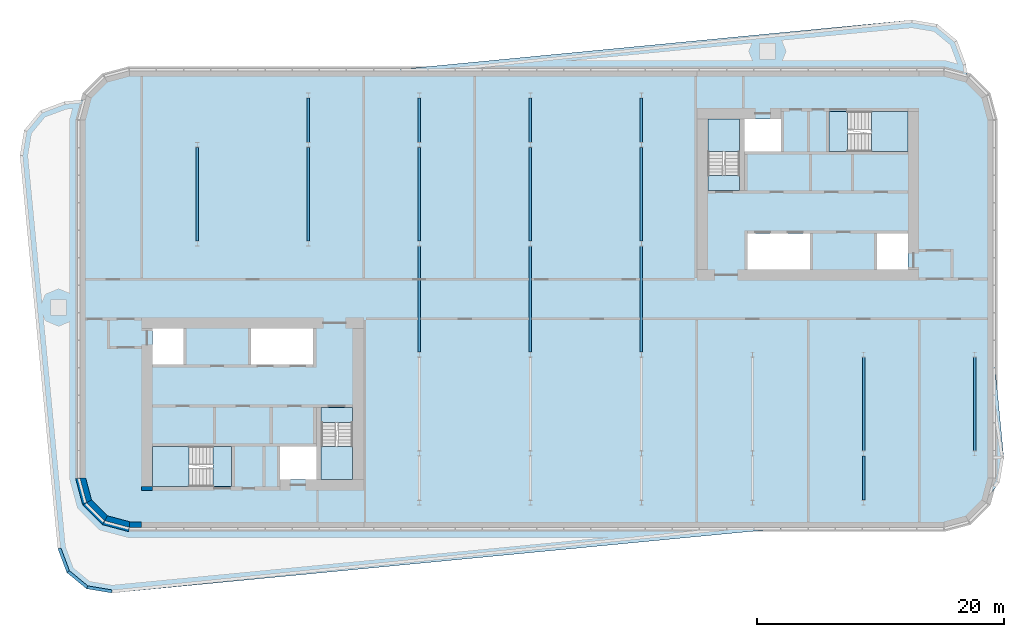
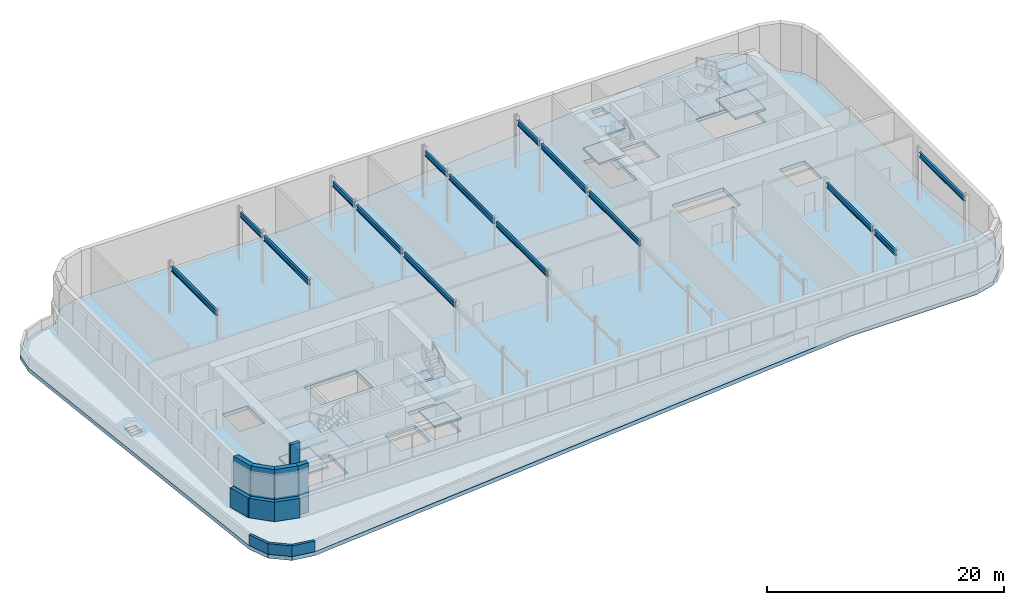
# One storey, part 5 of 16: 15 beams, 13 slabs, 11 walls, 4 elements without a shape of their own.
"""IFC4 building model written with IfcOpenShell, lengths in metres."""

from ifc_helpers import new_model, si_unit, direction, frame, frame_2d, origin, origin_2d, place, context, subcontext, project, spatial, polyline, rectangle, i_section, outline, extrude, material, layer, layer_set, material_profile, profile_set, type_object, element, aggregate, save


model = new_model("IFC4")

# Units and contexts
model_context = context("Model", 3, precision=1e-05, world=origin(), true_north=direction((0.0, 1.0)))
body_context = subcontext(model_context, "Body", "Model", "MODEL_VIEW")
ifc_project = project(units=[si_unit("LENGTHUNIT", "METRE"), si_unit("AREAUNIT", "SQUARE_METRE"), si_unit("VOLUMEUNIT", "CUBIC_METRE"), si_unit("PLANEANGLEUNIT", "RADIAN"), si_unit("MASSUNIT", "GRAM", prefix="KILO")], contexts=[model_context])

# Site, building, storey
site_placement = place(None, origin())
site = spatial("IfcSite", under=ifc_project, at=site_placement, CompositionType="ELEMENT")
building_placement = place(site_placement, origin())
building = spatial("IfcBuilding", under=site, at=building_placement, Name="Kajstack Hotel Tower", CompositionType="ELEMENT")
storey_placement = place(building_placement, frame((0.0, 0.0, 308.10009765625)))
storey = spatial("IfcBuildingStorey", under=building, at=storey_placement, Name="L78", CompositionType="ELEMENT", Elevation=308.10009765625)

# Beams
ifc_material_1 = material(Name="Steel S355J2", Category="steel")
ifc_material_profile = material_profile(ifc_material_1, i_section(OverallWidth=0.199951171875, OverallDepth=0.5, WebThickness=0.01025390625, FlangeThickness=0.01611328125, FilletRadius=0.02099609375, at=origin_2d()), Name="IPE 500")
ifc_profile_set = profile_set([ifc_material_profile], Name="Steel S355J2")
beam_type = type_object("IfcBeamType", Name="CF1 IPE 500", PredefinedType="BEAM", material=ifc_profile_set)
for number, where, z_axis, x_axis, name in (
    (1, (-27.0, 4.699951171875, 4.849853515625), (0.0, 1.0, 0.0), (-1.0, 0.0, 0.0), "S-beam-c-L78--27p0-1"),
    (2, (-18.0, 4.699951171875, 4.849853515625), (0.0, 1.0, 0.0), (-1.0, 0.0, 0.0), "S-beam-c-L78--18p0-1"),
):
    element("IfcBeam", number, at=place(storey_placement, frame(where, z_axis=z_axis, x_axis=x_axis)), inside=storey, type_object=beam_type, Name=name, PredefinedType="BEAM", context=body_context, shape_type="SweptSolid", body=[
        extrude(i_section(OverallWidth=0.199951171875, OverallDepth=0.5, WebThickness=0.01025390625, FlangeThickness=0.01611328125, FilletRadius=0.02099609375, at=origin_2d()), origin(), (0.0, 0.0, 1.0), 7.60009765625),
    ])
beam_1_placement = place(storey_placement, frame((-18.0, 12.699951171875, 4.849853515625), z_axis=(0.0, 1.0, 0.0), x_axis=(-1.0, 0.0, 0.0)))
element("IfcBeam", 3, at=beam_1_placement, inside=storey, type_object=beam_type, Name="S-beam-c-L78--18p0-2", PredefinedType="BEAM", context=body_context, shape_type="SweptSolid", body=[
    extrude(i_section(OverallWidth=0.199951171875, OverallDepth=0.5, WebThickness=0.01025390625, FlangeThickness=0.01611328125, FilletRadius=0.02099609375, at=origin_2d()), origin(), (0.0, 0.0, 1.0), 3.60009765625),
])
beam_2_placement = place(storey_placement, frame((-9.0, -4.300048828125, 4.849853515625), z_axis=(0.0, 1.0, 0.0), x_axis=(-1.0, 0.0, 0.0)))
element("IfcBeam", 4, at=beam_2_placement, inside=storey, type_object=beam_type, Name="S-beam-c-L78--9p0-3", PredefinedType="BEAM", context=body_context, shape_type="SweptSolid", body=[
    extrude(i_section(OverallWidth=0.199951171875, OverallDepth=0.5, WebThickness=0.01025390625, FlangeThickness=0.01611328125, FilletRadius=0.02099609375, at=origin_2d()), origin(), (0.0, 0.0, 1.0), 8.60009765625),
])
beam_3_placement = place(storey_placement, frame((-9.0, 4.699951171875, 4.849853515625), z_axis=(0.0, 1.0, 0.0), x_axis=(-1.0, 0.0, 0.0)))
element("IfcBeam", 5, at=beam_3_placement, inside=storey, type_object=beam_type, Name="S-beam-c-L78--9p0-4", PredefinedType="BEAM", context=body_context, shape_type="SweptSolid", body=[
    extrude(i_section(OverallWidth=0.199951171875, OverallDepth=0.5, WebThickness=0.01025390625, FlangeThickness=0.01611328125, FilletRadius=0.02099609375, at=origin_2d()), origin(), (0.0, 0.0, 1.0), 7.60009765625),
])
beam_4_placement = place(storey_placement, frame((-9.0, 12.699951171875, 4.849853515625), z_axis=(0.0, 1.0, 0.0), x_axis=(-1.0, 0.0, 0.0)))
element("IfcBeam", 6, at=beam_4_placement, inside=storey, type_object=beam_type, Name="S-beam-c-L78--9p0-5", PredefinedType="BEAM", context=body_context, shape_type="SweptSolid", body=[
    extrude(i_section(OverallWidth=0.199951171875, OverallDepth=0.5, WebThickness=0.01025390625, FlangeThickness=0.01611328125, FilletRadius=0.02099609375, at=origin_2d()), origin(), (0.0, 0.0, 1.0), 3.60009765625),
])
beam_5_placement = place(storey_placement, frame((0.0, -4.300048828125, 4.849853515625), z_axis=(0.0, 1.0, 0.0), x_axis=(-1.0, 0.0, 0.0)))
element("IfcBeam", 7, at=beam_5_placement, inside=storey, type_object=beam_type, Name="S-beam-c-L78-+0p0-3", PredefinedType="BEAM", context=body_context, shape_type="SweptSolid", body=[
    extrude(i_section(OverallWidth=0.199951171875, OverallDepth=0.5, WebThickness=0.01025390625, FlangeThickness=0.01611328125, FilletRadius=0.02099609375, at=origin_2d()), origin(), (0.0, 0.0, 1.0), 8.60009765625),
])
beam_6_placement = place(storey_placement, frame((0.0, 4.699951171875, 4.849853515625), z_axis=(0.0, 1.0, 0.0), x_axis=(-1.0, 0.0, 0.0)))
element("IfcBeam", 8, at=beam_6_placement, inside=storey, type_object=beam_type, Name="S-beam-c-L78-+0p0-4", PredefinedType="BEAM", context=body_context, shape_type="SweptSolid", body=[
    extrude(i_section(OverallWidth=0.199951171875, OverallDepth=0.5, WebThickness=0.01025390625, FlangeThickness=0.01611328125, FilletRadius=0.02099609375, at=origin_2d()), origin(), (0.0, 0.0, 1.0), 7.60009765625),
])
beam_7_placement = place(storey_placement, frame((0.0, 12.699951171875, 4.849853515625), z_axis=(0.0, 1.0, 0.0), x_axis=(-1.0, 0.0, 0.0)))
element("IfcBeam", 9, at=beam_7_placement, inside=storey, type_object=beam_type, Name="S-beam-c-L78-+0p0-5", PredefinedType="BEAM", context=body_context, shape_type="SweptSolid", body=[
    extrude(i_section(OverallWidth=0.199951171875, OverallDepth=0.5, WebThickness=0.01025390625, FlangeThickness=0.01611328125, FilletRadius=0.02099609375, at=origin_2d()), origin(), (0.0, 0.0, 1.0), 3.60009765625),
])
beam_8_placement = place(storey_placement, frame((9.0, -4.300048828125, 4.849853515625), z_axis=(0.0, 1.0, 0.0), x_axis=(-1.0, 0.0, 0.0)))
element("IfcBeam", 10, at=beam_8_placement, inside=storey, type_object=beam_type, Name="S-beam-c-L78-+9p0-3", PredefinedType="BEAM", context=body_context, shape_type="SweptSolid", body=[
    extrude(i_section(OverallWidth=0.199951171875, OverallDepth=0.5, WebThickness=0.01025390625, FlangeThickness=0.01611328125, FilletRadius=0.02099609375, at=origin_2d()), origin(), (0.0, 0.0, 1.0), 8.60009765625),
])
beam_9_placement = place(storey_placement, frame((9.0, 4.699951171875, 4.849853515625), z_axis=(0.0, 1.0, 0.0), x_axis=(-1.0, 0.0, 0.0)))
element("IfcBeam", 11, at=beam_9_placement, inside=storey, type_object=beam_type, Name="S-beam-c-L78-+9p0-4", PredefinedType="BEAM", context=body_context, shape_type="SweptSolid", body=[
    extrude(i_section(OverallWidth=0.199951171875, OverallDepth=0.5, WebThickness=0.01025390625, FlangeThickness=0.01611328125, FilletRadius=0.02099609375, at=origin_2d()), origin(), (0.0, 0.0, 1.0), 7.60009765625),
])
for number, where, z_axis, x_axis, name in (
    (12, (9.0, 12.699951171875, 4.849853515625), (0.0, 1.0, 0.0), (-1.0, 0.0, 0.0), "S-beam-c-L78-+9p0-5"),
    (13, (27.0, -16.300048828125, 4.849853515625), (0.0, 1.0, 0.0), (-1.0, 0.0, 0.0), "S-beam-c-L78-+27p0-1"),
):
    element("IfcBeam", number, at=place(storey_placement, frame(where, z_axis=z_axis, x_axis=x_axis)), inside=storey, type_object=beam_type, Name=name, PredefinedType="BEAM", context=body_context, shape_type="SweptSolid", body=[
        extrude(i_section(OverallWidth=0.199951171875, OverallDepth=0.5, WebThickness=0.01025390625, FlangeThickness=0.01611328125, FilletRadius=0.02099609375, at=origin_2d()), origin(), (0.0, 0.0, 1.0), 3.60009765625),
    ])
for number, where, z_axis, x_axis, name in (
    (14, (27.0, -12.300048828125, 4.849853515625), (0.0, 1.0, 0.0), (-1.0, 0.0, 0.0), "S-beam-c-L78-+27p0-2"),
    (15, (36.0, -12.300048828125, 4.849853515625), (0.0, 1.0, 0.0), (-1.0, 0.0, 0.0), "S-beam-c-L78-+36p0-1"),
):
    element("IfcBeam", number, at=place(storey_placement, frame(where, z_axis=z_axis, x_axis=x_axis)), inside=storey, type_object=beam_type, Name=name, PredefinedType="BEAM", context=body_context, shape_type="SweptSolid", body=[
        extrude(i_section(OverallWidth=0.199951171875, OverallDepth=0.5, WebThickness=0.01025390625, FlangeThickness=0.01611328125, FilletRadius=0.02099609375, at=origin_2d()), origin(), (0.0, 0.0, 1.0), 7.60009765625),
    ])

# Slab
ifc_material_2 = material(Name="Concrete C40/50", Category="concrete")
ifc_layer_1 = layer(ifc_material_2, 0.39990234375)
ifc_layer_set_1 = layer_set([ifc_layer_1], Name="RC slab 400 C40/50 crown")
slab_type_1 = type_object("IfcSlabType", Name="RC slab 400 C40/50 crown", PredefinedType="FLOOR", material=ifc_layer_set_1)
slab_1_placement = place(storey_placement, frame((0.0, 0.0, -0.400146484375)))
element("IfcSlab", 16, at=slab_1_placement, inside=storey, type_object=slab_type_1, Name="S-slab-L78", PredefinedType="FLOOR", context=body_context, shape_type="SweptSolid", body=[
    extrude(outline(polyline([(-33.92431640625, -23.814697265625), (-35.96630859375, -23.472900390625), (-37.564208984375, -22.15576171875), (-38.289306640625, -20.21630859375), (-41.356201171875, 11.63623046875), (-41.014404296875, 13.678466796875), (-39.697509765625, 15.276123046875), (-37.758056640625, 16.001220703125), (-36.0537109375, 16.165283203125), (-35.964111328125, 16.5), (-34.5, 17.964111328125), (-32.5, 18.5), (-11.80712890625, 18.5), (30.92431640625, 22.614501953125), (32.96630859375, 22.27294921875), (34.564208984375, 20.955810546875), (35.289306640625, 19.016357421875), (35.3876953125, 17.994140625), (35.5, 17.964111328125), (36.964111328125, 16.5), (37.5, 14.5), (37.5, -3.943359375), (38.356201171875, -12.836181640625), (38.014404296875, -14.87841796875), (37.10205078125, -15.9853515625), (36.964111328125, -16.5), (35.5, -17.964111328125), (33.5, -18.5), (21.26953125, -18.5), (-33.92431640625, -23.814697265625)]), holes=[polyline([(-22.64990234375, -5.300048828125), (-22.64990234375, -2.39990234375), (-17.60009765625, -2.39990234375), (-17.60009765625, -5.300048828125), (-22.64990234375, -5.300048828125)]), polyline([(-20.300048828125, -14.60009765625), (-17.35009765625, -14.60009765625), (-17.35009765625, -11.949951171875), (-20.300048828125, -11.949951171875), (-20.300048828125, -14.60009765625)]), polyline([(-30.60009765625, -5.300048828125), (-28.10009765625, -5.300048828125), (-28.10009765625, -2.39990234375), (-30.60009765625, -2.39990234375), (-30.60009765625, -5.300048828125)]), polyline([(17.60009765625, 2.39990234375), (17.60009765625, 5.300048828125), (22.64990234375, 5.300048828125), (22.64990234375, 2.39990234375), (17.60009765625, 2.39990234375)]), polyline([(20.300048828125, 14.60009765625), (17.35009765625, 14.60009765625), (17.35009765625, 11.949951171875), (20.300048828125, 11.949951171875), (20.300048828125, 14.60009765625)]), polyline([(30.60009765625, 5.300048828125), (28.10009765625, 5.300048828125), (28.10009765625, 2.39990234375), (30.60009765625, 2.39990234375), (30.60009765625, 5.300048828125)]), polyline([(-16.949951171875, -14.60009765625), (-14.39990234375, -14.60009765625), (-14.39990234375, -10.0), (-16.949951171875, -10.0), (-16.949951171875, -14.60009765625)]), polyline([(-30.60009765625, -15.199951171875), (-25.699951171875, -15.199951171875), (-25.699951171875, -11.949951171875), (-30.60009765625, -11.949951171875), (-30.60009765625, -15.199951171875)]), polyline([(16.949951171875, 14.60009765625), (14.39990234375, 14.60009765625), (14.39990234375, 10.0), (16.949951171875, 10.0), (16.949951171875, 14.60009765625)]), polyline([(30.60009765625, 15.199951171875), (25.699951171875, 15.199951171875), (25.699951171875, 11.949951171875), (30.60009765625, 11.949951171875), (30.60009765625, 15.199951171875)]), polyline([(-38.7763671875, -1.234619140625), (-38.7763671875, -0.134521484375), (-37.67626953125, -0.134521484375), (-37.67626953125, -1.234619140625), (-38.7763671875, -1.234619140625)]), polyline([(18.655517578125, 19.53125), (18.655517578125, 20.631103515625), (19.755615234375, 20.631103515625), (19.755615234375, 19.53125), (18.655517578125, 19.53125)])]), origin(), (0.0, 0.0, 1.0), 0.400146484375),
])

# Stair, slabs
stair_type_1 = type_object("IfcStairType", Name="Exit stair 1200", PredefinedType="HALF_TURN_STAIR", material=ifc_material_2)
stair_1_placement = place(storey_placement, origin())
stair_1 = element("IfcStair", 17, at=stair_1_placement, inside=storey, type_object=stair_type_1, Name="L78 stair W2", PredefinedType="HALF_TURN_STAIR")
ifc_layer_2 = layer(ifc_material_2, 0.199951171875)
ifc_layer_set_2 = layer_set([ifc_layer_2], Name="Stair landing 200")
slab_type_2 = type_object("IfcSlabType", Name="Stair landing 200", PredefinedType="LANDING", material=ifc_layer_set_2)
slab_2_placement = place(storey_placement, frame((0.0, 0.0, 1.1748046875)))
slab_2 = element("IfcSlab", 18, at=slab_2_placement, type_object=slab_type_2, Name="W2 landing 1", PredefinedType="LANDING", context=body_context, shape_type="SweptSolid", body=[
    extrude(outline(polyline([(-16.949951171875, -11.9599609375), (-16.949951171875, -14.60009765625), (-14.39990234375, -14.60009765625), (-14.39990234375, -11.9599609375), (-16.949951171875, -11.9599609375)])), origin(), (0.0, 0.0, 1.0), 0.2001953125),
])
slab_3_placement = place(storey_placement, frame((0.0, 0.0, 2.5498046875)))
slab_3 = element("IfcSlab", 19, at=slab_3_placement, type_object=slab_type_2, Name="W2 landing 2", PredefinedType="LANDING", context=body_context, shape_type="SweptSolid", body=[
    extrude(outline(polyline([(-16.949951171875, -8.800048828125), (-16.949951171875, -10.0), (-14.39990234375, -10.0), (-14.39990234375, -8.800048828125), (-16.949951171875, -8.800048828125)])), origin(), (0.0, 0.0, 1.0), 0.2001953125),
])
slab_4_placement = place(storey_placement, frame((0.0, 0.0, 3.9248046875)))
slab_4 = element("IfcSlab", 20, at=slab_4_placement, type_object=slab_type_2, Name="W2 landing 3", PredefinedType="LANDING", context=body_context, shape_type="SweptSolid", body=[
    extrude(outline(polyline([(-16.949951171875, -11.9599609375), (-16.949951171875, -14.60009765625), (-14.39990234375, -14.60009765625), (-14.39990234375, -11.9599609375), (-16.949951171875, -11.9599609375)])), origin(), (0.0, 0.0, 1.0), 0.2001953125),
])
aggregate(stair_1, [slab_2, slab_3, slab_4])

stair_type_2 = type_object("IfcStairType", Name="Exit stair 1500", PredefinedType="HALF_TURN_STAIR", material=ifc_material_2)
stair_2_placement = place(storey_placement, origin())
stair_2 = element("IfcStair", 21, at=stair_2_placement, inside=storey, type_object=stair_type_2, Name="L78 stair W3", PredefinedType="HALF_TURN_STAIR")
slab_5_placement = place(storey_placement, frame((0.0, 0.0, 1.1748046875)))
slab_5 = element("IfcSlab", 22, at=slab_5_placement, type_object=slab_type_2, Name="W3 landing 1", PredefinedType="LANDING", context=body_context, shape_type="SweptSolid", body=[
    extrude(outline(polyline([(-27.659912109375, -11.949951171875), (-30.60009765625, -11.949951171875), (-30.60009765625, -15.199951171875), (-27.659912109375, -15.199951171875), (-27.659912109375, -11.949951171875)])), origin(), (0.0, 0.0, 1.0), 0.2001953125),
])
slab_6_placement = place(storey_placement, frame((0.0, 0.0, 2.5498046875)))
slab_6 = element("IfcSlab", 23, at=slab_6_placement, type_object=slab_type_2, Name="W3 landing 2", PredefinedType="LANDING", context=body_context, shape_type="SweptSolid", body=[
    extrude(outline(polyline([(-24.199951171875, -11.949951171875), (-25.699951171875, -11.949951171875), (-25.699951171875, -15.199951171875), (-24.199951171875, -15.199951171875), (-24.199951171875, -11.949951171875)])), origin(), (0.0, 0.0, 1.0), 0.2001953125),
])
slab_7_placement = place(storey_placement, frame((0.0, 0.0, 3.9248046875)))
slab_7 = element("IfcSlab", 24, at=slab_7_placement, type_object=slab_type_2, Name="W3 landing 3", PredefinedType="LANDING", context=body_context, shape_type="SweptSolid", body=[
    extrude(outline(polyline([(-27.659912109375, -11.949951171875), (-30.60009765625, -11.949951171875), (-30.60009765625, -15.199951171875), (-27.659912109375, -15.199951171875), (-27.659912109375, -11.949951171875)])), origin(), (0.0, 0.0, 1.0), 0.2001953125),
])
aggregate(stair_2, [slab_5, slab_6, slab_7])

stair_3_placement = place(storey_placement, origin())
stair_3 = element("IfcStair", 25, at=stair_3_placement, inside=storey, type_object=stair_type_1, Name="L78 stair E2", PredefinedType="HALF_TURN_STAIR")
slab_8_placement = place(storey_placement, frame((0.0, 0.0, 1.1748046875)))
slab_8 = element("IfcSlab", 26, at=slab_8_placement, type_object=slab_type_2, Name="E2 landing 1", PredefinedType="LANDING", context=body_context, shape_type="SweptSolid", body=[
    extrude(outline(polyline([(16.949951171875, 11.9599609375), (16.949951171875, 14.60009765625), (14.39990234375, 14.60009765625), (14.39990234375, 11.9599609375), (16.949951171875, 11.9599609375)])), origin(), (0.0, 0.0, 1.0), 0.2001953125),
])
slab_9_placement = place(storey_placement, frame((0.0, 0.0, 2.5498046875)))
slab_9 = element("IfcSlab", 27, at=slab_9_placement, type_object=slab_type_2, Name="E2 landing 2", PredefinedType="LANDING", context=body_context, shape_type="SweptSolid", body=[
    extrude(outline(polyline([(16.949951171875, 8.800048828125), (16.949951171875, 10.0), (14.39990234375, 10.0), (14.39990234375, 8.800048828125), (16.949951171875, 8.800048828125)])), origin(), (0.0, 0.0, 1.0), 0.2001953125),
])
slab_10_placement = place(storey_placement, frame((0.0, 0.0, 3.9248046875)))
slab_10 = element("IfcSlab", 28, at=slab_10_placement, type_object=slab_type_2, Name="E2 landing 3", PredefinedType="LANDING", context=body_context, shape_type="SweptSolid", body=[
    extrude(outline(polyline([(16.949951171875, 11.9599609375), (16.949951171875, 14.60009765625), (14.39990234375, 14.60009765625), (14.39990234375, 11.9599609375), (16.949951171875, 11.9599609375)])), origin(), (0.0, 0.0, 1.0), 0.2001953125),
])
aggregate(stair_3, [slab_8, slab_9, slab_10])

stair_4_placement = place(storey_placement, origin())
stair_4 = element("IfcStair", 29, at=stair_4_placement, inside=storey, type_object=stair_type_2, Name="L78 stair E3", PredefinedType="HALF_TURN_STAIR")
slab_11_placement = place(storey_placement, frame((0.0, 0.0, 1.1748046875)))
slab_11 = element("IfcSlab", 30, at=slab_11_placement, type_object=slab_type_2, Name="E3 landing 1", PredefinedType="LANDING", context=body_context, shape_type="SweptSolid", body=[
    extrude(outline(polyline([(27.659912109375, 11.949951171875), (30.60009765625, 11.949951171875), (30.60009765625, 15.199951171875), (27.659912109375, 15.199951171875), (27.659912109375, 11.949951171875)])), origin(), (0.0, 0.0, 1.0), 0.2001953125),
])
slab_12_placement = place(storey_placement, frame((0.0, 0.0, 2.5498046875)))
slab_12 = element("IfcSlab", 31, at=slab_12_placement, type_object=slab_type_2, Name="E3 landing 2", PredefinedType="LANDING", context=body_context, shape_type="SweptSolid", body=[
    extrude(outline(polyline([(24.199951171875, 11.949951171875), (25.699951171875, 11.949951171875), (25.699951171875, 15.199951171875), (24.199951171875, 15.199951171875), (24.199951171875, 11.949951171875)])), origin(), (0.0, 0.0, 1.0), 0.2001953125),
])
slab_13_placement = place(storey_placement, frame((0.0, 0.0, 3.9248046875)))
slab_13 = element("IfcSlab", 32, at=slab_13_placement, type_object=slab_type_2, Name="E3 landing 3", PredefinedType="LANDING", context=body_context, shape_type="SweptSolid", body=[
    extrude(outline(polyline([(27.659912109375, 11.949951171875), (30.60009765625, 11.949951171875), (30.60009765625, 15.199951171875), (27.659912109375, 15.199951171875), (27.659912109375, 11.949951171875)])), origin(), (0.0, 0.0, 1.0), 0.2001953125),
])
aggregate(stair_4, [slab_11, slab_12, slab_13])

# Walls
ifc_layer_3 = layer(ifc_material_2, 0.35009765625)
ifc_layer_set_3 = layer_set([ifc_layer_3], Name="CROWN-BAND")
wall_type_1 = type_object("IfcWallType", Name="CROWN-BAND", PredefinedType="SOLIDWALL", material=ifc_layer_set_3)
wall_1_placement = place(storey_placement, origin())
element("IfcWall", 33, at=wall_1_placement, inside=storey, type_object=wall_type_1, Name="Crown band 1", PredefinedType="SOLIDWALL", context=body_context, shape_type="SweptSolid", body=[
    extrude(outline(polyline([(-35.997314453125, -16.466796875), (-36.24462890625, -16.71435546875), (-34.68115234375, -18.27783203125), (-34.5, -17.964111328125), (-35.997314453125, -16.466796875)])), origin(), (0.0, 0.0, 1.0), 2.0),
])
wall_2_placement = place(storey_placement, origin())
element("IfcWall", 34, at=wall_2_placement, inside=storey, type_object=wall_type_1, Name="Crown band 2", PredefinedType="SOLIDWALL", context=body_context, shape_type="SweptSolid", body=[
    extrude(outline(polyline([(-34.5, -17.964111328125), (-34.68115234375, -18.27783203125), (-32.546142578125, -18.85009765625), (-32.5, -18.5), (-34.5, -17.964111328125)])), origin(), (0.0, 0.0, 1.0), 2.0),
])
wall_3_placement = place(storey_placement, origin())
element("IfcWall", 35, at=wall_3_placement, inside=storey, type_object=wall_type_1, Name="Crown band 23", PredefinedType="SOLIDWALL", context=body_context, shape_type="SweptSolid", body=[
    extrude(outline(polyline([(-36.5, -14.5), (-36.85009765625, -14.546142578125), (-36.2900390625, -16.635986328125), (-35.951904296875, -16.54541015625), (-36.5, -14.5)])), origin(), (0.0, 0.0, 1.0), 2.0),
])
ifc_material_3 = material(Name="Concrete C60/75", Category="concrete")
ifc_layer_4 = layer(ifc_material_3, 0.89990234375)
ifc_layer_set_4 = layer_set([ifc_layer_4], Name="Core wall 900")
wall_type_2 = type_object("IfcWallType", Name="Core wall 900", PredefinedType="SHEAR", material=ifc_layer_set_4)
wall_4_placement = place(storey_placement, frame((-31.5, -15.35009765625, 0.0), z_axis=(0.0, 0.0, 1.0), x_axis=(1.0, 0.0, 0.0)))
element("IfcWall", 36, at=wall_4_placement, inside=storey, type_object=wall_type_2, Name="Core wall W RSW", PredefinedType="SHEAR", context=body_context, shape_type="SweptSolid", body=[
    extrude(rectangle(XDim=0.89990234375, YDim=0.300048828125, at=frame_2d((0.449951171875, 0.0))), origin(), (0.0, 0.0, 1.0), 5.099853515625),
])
ifc_material_4 = material(Name="Zinc-clad block masonry", Category="masonry")
ifc_layer_5 = layer(ifc_material_4, 0.449951171875)
ifc_layer_set_5 = layer_set([ifc_layer_5], Name="EW-ZINC")
wall_type_3 = type_object("IfcWallType", Name="EW-ZINC", PredefinedType="SOLIDWALL", material=ifc_layer_set_5)
wall_5_placement = place(storey_placement, frame((-36.28271484375, -14.441650390625, 0.0), z_axis=(0.0, 0.0, 1.0), x_axis=(0.25881466832, -0.965926999034, 0.0)))
element("IfcWall", 37, at=wall_5_placement, inside=storey, type_object=wall_type_3, Name="E-wall-L78-00-00", PredefinedType="SOLIDWALL", context=body_context, shape_type="SweptSolid", body=[
    extrude(outline(polyline([(0.000244140625, -0.22509765625), (2.070556640625, -0.224853515625), (1.9501953125, 0.22509765625), (0.12060546875, 0.22509765625), (0.000244140625, -0.22509765625)])), origin(), (0.0, 0.0, 1.0), 5.099853515625),
])
wall_6_placement = place(storey_placement, frame((-35.804931640625, -16.3408203125, 0.0), z_axis=(0.0, 0.0, 1.0), x_axis=(0.707106781187, -0.707106781187, 0.0)))
element("IfcWall", 38, at=wall_6_placement, inside=storey, type_object=wall_type_3, Name="E-wall-L78-01-00", PredefinedType="SOLIDWALL", context=body_context, shape_type="SweptSolid", body=[
    extrude(outline(polyline([(0.0, -0.22509765625), (2.070556640625, -0.22509765625), (1.949951171875, 0.224853515625), (0.12060546875, 0.224853515625), (0.0, -0.22509765625)])), origin(), (0.0, 0.0, 1.0), 5.099853515625),
])
wall_7_placement = place(storey_placement, frame((-34.441650390625, -17.746826171875, 0.0), z_axis=(0.0, 0.0, 1.0), x_axis=(0.965926999034, -0.25881466832, 0.0)))
element("IfcWall", 39, at=wall_7_placement, inside=storey, type_object=wall_type_3, Name="E-wall-L78-02-00", PredefinedType="SOLIDWALL", context=body_context, shape_type="SweptSolid", body=[
    extrude(outline(polyline([(-0.000244140625, -0.224853515625), (2.0703125, -0.22509765625), (1.949951171875, 0.22509765625), (0.120361328125, 0.22509765625), (-0.000244140625, -0.224853515625)])), origin(), (0.0, 0.0, 1.0), 5.099853515625),
])
wall_8_placement = place(storey_placement, frame((-32.5, -18.27490234375, 0.0), z_axis=(0.0, 0.0, 1.0), x_axis=(1.0, 0.0, 0.0)))
element("IfcWall", 40, at=wall_8_placement, inside=storey, type_object=wall_type_3, Name="E-wall-L78-03-00", PredefinedType="SOLIDWALL", context=body_context, shape_type="SweptSolid", body=[
    extrude(rectangle(XDim=1.0, YDim=0.449951171875, at=frame_2d((0.5, 0.0))), origin(), (0.0, 0.0, 1.0), 5.099853515625),
])
ifc_layer_6 = layer(ifc_material_4, 0.25)
ifc_layer_set_6 = layer_set([ifc_layer_6], Name="PARAPET-ZINC")
wall_type_4 = type_object("IfcWallType", Name="PARAPET-ZINC", PredefinedType="PARAPET", material=ifc_layer_set_6)
wall_9_placement = place(storey_placement, origin())
element("IfcWall", 41, at=wall_9_placement, inside=storey, type_object=wall_type_4, Name="Parapet L78-01-01-02", PredefinedType="PARAPET", context=body_context, shape_type="SweptSolid", body=[
    extrude(outline(polyline([(-33.924072265625, -23.814697265625), (-33.915771484375, -23.5625), (-35.859130859375, -23.2373046875), (-35.96630859375, -23.472900390625), (-33.924072265625, -23.814697265625)])), origin(), (0.0, 0.0, 1.0), 1.099853515625),
])
wall_10_placement = place(storey_placement, origin())
element("IfcWall", 42, at=wall_10_placement, inside=storey, type_object=wall_type_4, Name="Parapet L78-01-01-03", PredefinedType="PARAPET", context=body_context, shape_type="SweptSolid", body=[
    extrude(outline(polyline([(-35.96630859375, -23.472900390625), (-35.859130859375, -23.2373046875), (-37.353271484375, -22.005615234375), (-37.56396484375, -22.15576171875), (-35.96630859375, -23.472900390625)])), origin(), (0.0, 0.0, 1.0), 1.099853515625),
])
wall_11_placement = place(storey_placement, origin())
element("IfcWall", 43, at=wall_11_placement, inside=storey, type_object=wall_type_4, Name="Parapet L78-01-01-04", PredefinedType="PARAPET", context=body_context, shape_type="SweptSolid", body=[
    extrude(outline(polyline([(-37.56396484375, -22.15576171875), (-37.353271484375, -22.005615234375), (-38.04345703125, -20.15966796875), (-38.289306640625, -20.21630859375), (-37.56396484375, -22.15576171875)])), origin(), (0.0, 0.0, 1.0), 1.099853515625),
])

save(model, "model.ifc")
